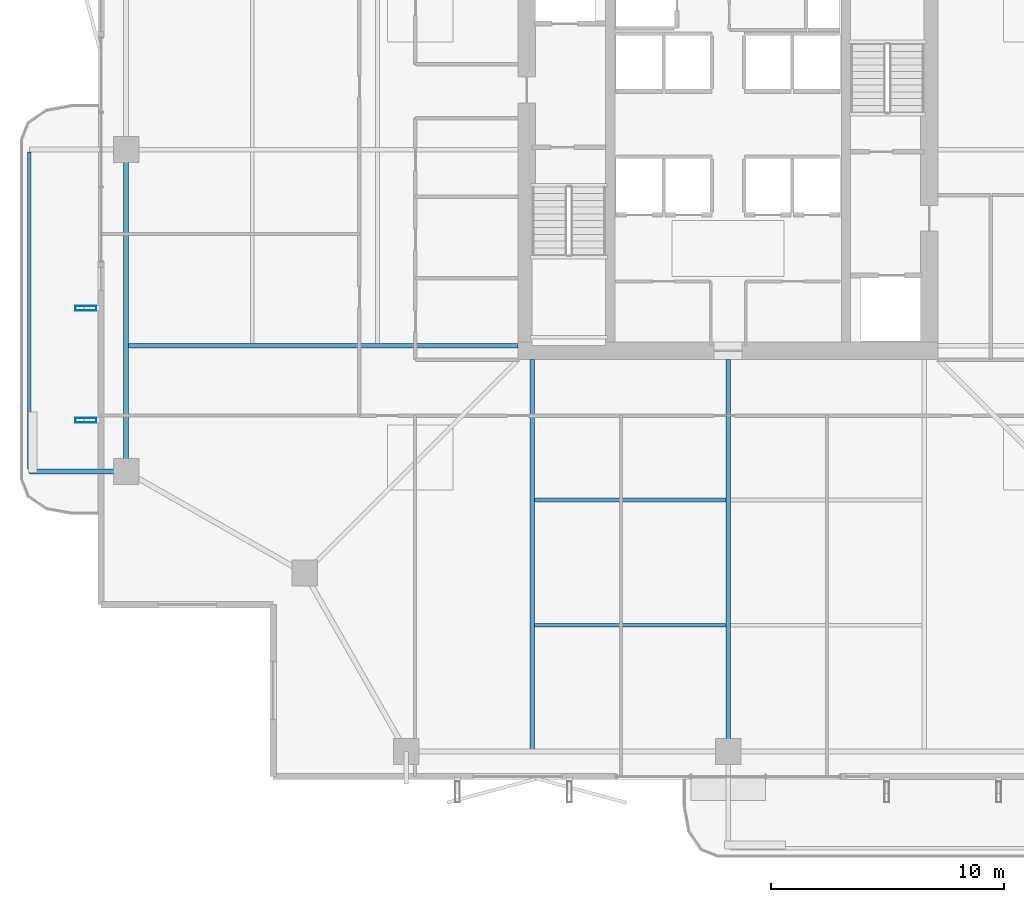
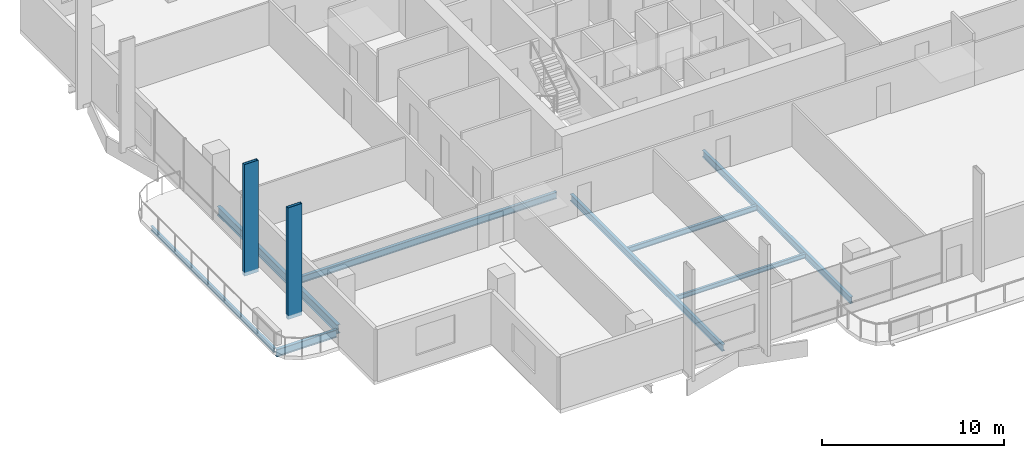
# One storey, part 3 of 24: 8 beams, 2 members.
"""IFC4 building model written with IfcOpenShell, lengths in metres."""

from ifc_helpers import new_model, si_unit, direction, frame, origin, origin_2d, place, context, subcontext, project, spatial, hollow_rectangle, i_section, extrude, material, material_profile, profile_set, type_object, element, save


model = new_model("IFC4")

# Units and contexts
model_context = context("Model", 3, precision=1e-05, world=origin(), true_north=direction((0.0, 1.0)))
body_context = subcontext(model_context, "Body", "Model", "MODEL_VIEW")
ifc_project = project(units=[si_unit("LENGTHUNIT", "METRE"), si_unit("AREAUNIT", "SQUARE_METRE"), si_unit("VOLUMEUNIT", "CUBIC_METRE"), si_unit("PLANEANGLEUNIT", "RADIAN"), si_unit("MASSUNIT", "GRAM", prefix="KILO")], contexts=[model_context])

# Site, building, storey
site_placement = place(None, origin())
site = spatial("IfcSite", under=ifc_project, at=site_placement, CompositionType="ELEMENT")
building_placement = place(site_placement, origin())
building = spatial("IfcBuilding", under=site, at=building_placement, Name="Belovzor Exchange Tower", CompositionType="ELEMENT")
storey_placement = place(building_placement, frame((0.0, 0.0, 233.699951171875)))
storey = spatial("IfcBuildingStorey", under=building, at=storey_placement, Name="L58", CompositionType="ELEMENT", Elevation=233.699951171875)

# Beams
ifc_material_1 = material(Name="Steel S355", Category="steel")
ifc_material_profile_1 = material_profile(ifc_material_1, i_section(OverallWidth=0.199951171875, OverallDepth=0.5, WebThickness=0.01025390625, FlangeThickness=0.01611328125, at=origin_2d()))
ifc_profile_set_1 = profile_set([ifc_material_profile_1], Name="Steel S355")
beam_type_1 = type_object("IfcBeamType", Name="Planted Balcony Cantilever Beam IPE 500", PredefinedType="BEAM", material=ifc_profile_set_1)
beam_1_placement = place(storey_placement, frame((2.697021484375, 15.0, -0.5), z_axis=(-1.0, 0.0, 0.0), x_axis=(0.0, -1.0, 0.0)))
element("IfcBeam", 1, at=beam_1_placement, inside=storey, type_object=beam_type_1, Name="BC-500 Planted Balcony Cantilever Beam IPE 500", PredefinedType="BEAM", context=body_context, shape_type="SweptSolid", body=[
    extrude(i_section(OverallWidth=0.199951171875, OverallDepth=0.5, WebThickness=0.01025390625, FlangeThickness=0.01611328125, at=origin_2d()), origin(), (0.0, 0.0, 1.0), 3.85009765625),
])
ifc_material_2 = material(Name="Steel S355", Category="steel")
ifc_material_profile_2 = material_profile(ifc_material_2, i_section(OverallWidth=0.14990234375, OverallDepth=0.300048828125, WebThickness=0.007080078125, FlangeThickness=0.0107421875, at=origin_2d()))
ifc_profile_set_2 = profile_set([ifc_material_profile_2], Name="Steel S355")
beam_type_2 = type_object("IfcBeamType", Name="Planted Balcony Fascia Edge Beam IPE 300", PredefinedType="BEAM", material=ifc_profile_set_2)
beam_2_placement = place(storey_placement, frame((-1.153076171875, 28.699951171875, -0.39990234375), z_axis=(0.0, -1.0, 0.0), x_axis=(1.0, 0.0, 0.0)))
element("IfcBeam", 2, at=beam_2_placement, inside=storey, type_object=beam_type_2, Name="BC-300 Planted Balcony Fascia Edge Beam IPE 300", PredefinedType="BEAM", context=body_context, shape_type="SweptSolid", body=[
    extrude(i_section(OverallWidth=0.14990234375, OverallDepth=0.300048828125, WebThickness=0.007080078125, FlangeThickness=0.0107421875, at=origin_2d()), origin(), (0.0, 0.0, 1.0), 13.599853515625),
])
ifc_material_3 = material(Name="Steel S355", Category="steel")
ifc_material_profile_3 = material_profile(ifc_material_3, i_section(OverallWidth=0.169921875, OverallDepth=0.360107421875, WebThickness=0.008056640625, FlangeThickness=0.0126953125, at=origin_2d()))
ifc_profile_set_3 = profile_set([ifc_material_profile_3], Name="Steel S355")
beam_type_3 = type_object("IfcBeamType", Name="Secondary Infill Floor Joist IPE 360", PredefinedType="BEAM", material=ifc_profile_set_3)
beam_3_placement = place(storey_placement, frame((20.4951171875, 13.77197265625, -0.429931640625), z_axis=(1.0, 0.0, 0.0), x_axis=(0.0, 1.0, 0.0)))
element("IfcBeam", 3, at=beam_3_placement, inside=storey, type_object=beam_type_3, Name="FJ-360 Secondary Infill Floor Joist IPE 360", PredefinedType="BEAM", context=body_context, shape_type="SweptSolid", body=[
    extrude(i_section(OverallWidth=0.169921875, OverallDepth=0.360107421875, WebThickness=0.008056640625, FlangeThickness=0.0126953125, at=origin_2d()), origin(), (0.0, 0.0, 1.0), 8.2099609375),
])
ifc_material_4 = material(Name="Steel S355", Category="steel")
ifc_material_profile_4 = material_profile(ifc_material_4, i_section(OverallWidth=0.14990234375, OverallDepth=0.300048828125, WebThickness=0.007080078125, FlangeThickness=0.0107421875, at=origin_2d()))
ifc_profile_set_4 = profile_set([ifc_material_profile_4], Name="Steel S355")
beam_type_4 = type_object("IfcBeamType", Name="Secondary Trim Floor Joist IPE 300", PredefinedType="BEAM", material=ifc_profile_set_4)
beam_4_placement = place(storey_placement, frame((20.4951171875, 8.4130859375, -0.39990234375), z_axis=(1.0, 0.0, 0.0), x_axis=(0.0, 1.0, 0.0)))
element("IfcBeam", 4, at=beam_4_placement, inside=storey, type_object=beam_type_4, Name="FJ-300 Secondary Trim Floor Joist IPE 300", PredefinedType="BEAM", context=body_context, shape_type="SweptSolid", body=[
    extrude(i_section(OverallWidth=0.14990234375, OverallDepth=0.300048828125, WebThickness=0.007080078125, FlangeThickness=0.0107421875, at=origin_2d()), origin(), (0.0, 0.0, 1.0), 8.2099609375),
])

# Members
ifc_material_5 = material(Name="Extruded Architectural Terracotta on Steel S355 Carrier", Category="masonry")
ifc_material_profile_5 = material_profile(ifc_material_5, hollow_rectangle(XDim=0.199951171875, YDim=0.89990234375, WallThickness=0.011962890625, at=origin_2d()))
ifc_profile_set_5 = profile_set([ifc_material_profile_5], Name="Extruded Architectural Terracotta on Steel S355 Carrier")
member_type = type_object("IfcMemberType", Name="Sweeping Terracotta Baguette Fin Assembly 950", PredefinedType="USERDEFINED", material=ifc_profile_set_5)
for number, where, z_axis, x_axis, name in (
    (5, (1.27490234375, 17.199951171875, -0.25), (0.0, 0.0, 1.0), (0.0, 1.0, 0.0), "FIN-TC095 Terracotta Facade Fin L58 W1"),
    (6, (1.27490234375, 22.0, -0.25), (0.0, 0.0, 1.0), (0.0, 1.0, 0.0), "FIN-TC095 Terracotta Facade Fin L58 W2"),
):
    element("IfcMember", number, at=place(storey_placement, frame(where, z_axis=z_axis, x_axis=x_axis)), inside=storey, type_object=member_type, Name=name, ObjectType="FIN", PredefinedType="USERDEFINED", context=body_context, shape_type="SweptSolid", body=[
        extrude(hollow_rectangle(XDim=0.199951171875, YDim=0.89990234375, WallThickness=0.011962890625, at=origin_2d()), origin(), (0.0, 0.0, 1.0), 7.5),
    ])

# Beams
ifc_material_6 = material(Name="Steel S355", Category="steel")
ifc_material_profile_6 = material_profile(ifc_material_6, i_section(OverallWidth=0.18994140625, OverallDepth=0.449951171875, WebThickness=0.009521484375, FlangeThickness=0.0146484375, at=origin_2d()))
ifc_profile_set_6 = profile_set([ifc_material_profile_6], Name="Steel S355")
beam_type_5 = type_object("IfcBeamType", Name="Zone 2-4 Radial Composite Floor Beam IPE 450", PredefinedType="BEAM", material=ifc_profile_set_6)
beam_5_placement = place(storey_placement, frame((20.39990234375, 19.800048828125, -0.474853515625), z_axis=(0.0, -1.0, 0.0), x_axis=(1.0, 0.0, 0.0)))
element("IfcBeam", 7, at=beam_5_placement, inside=storey, type_object=beam_type_5, Name="FB-450 Zone 2-4 Radial Composite Floor Beam IPE 450", PredefinedType="BEAM", context=body_context, shape_type="SweptSolid", body=[
    extrude(i_section(OverallWidth=0.18994140625, OverallDepth=0.449951171875, WebThickness=0.009521484375, FlangeThickness=0.0146484375, at=origin_2d()), origin(), (0.0, 0.0, 1.0), 16.7451171875),
])
beam_6_placement = place(storey_placement, frame((28.800048828125, 19.800048828125, -0.474853515625), z_axis=(0.0, -1.0, 0.0), x_axis=(1.0, 0.0, 0.0)))
element("IfcBeam", 8, at=beam_6_placement, inside=storey, type_object=beam_type_5, Name="FB-450 Zone 2-4 Radial Composite Floor Beam IPE 450", PredefinedType="BEAM", context=body_context, shape_type="SweptSolid", body=[
    extrude(i_section(OverallWidth=0.18994140625, OverallDepth=0.449951171875, WebThickness=0.009521484375, FlangeThickness=0.0146484375, at=origin_2d()), origin(), (0.0, 0.0, 1.0), 16.316162109375),
])
beam_7_placement = place(storey_placement, frame((19.800048828125, 20.39990234375, -0.474853515625), z_axis=(-1.0, 0.0, 0.0), x_axis=(0.0, -1.0, 0.0)))
element("IfcBeam", 9, at=beam_7_placement, inside=storey, type_object=beam_type_5, Name="FB-450 Zone 2-4 Radial Composite Floor Beam IPE 450", PredefinedType="BEAM", context=body_context, shape_type="SweptSolid", body=[
    extrude(i_section(OverallWidth=0.18994140625, OverallDepth=0.449951171875, WebThickness=0.009521484375, FlangeThickness=0.0146484375, at=origin_2d()), origin(), (0.0, 0.0, 1.0), 16.7451171875),
])
ifc_material_7 = material(Name="Steel S355", Category="steel")
ifc_material_profile_7 = material_profile(ifc_material_7, i_section(OverallWidth=0.219970703125, OverallDepth=0.60009765625, WebThickness=0.011962890625, FlangeThickness=0.01904296875, at=origin_2d()))
ifc_profile_set_7 = profile_set([ifc_material_profile_7], Name="Steel S355")
beam_type_6 = type_object("IfcBeamType", Name="Zone 4 Flare Primary Girder IPE 600", PredefinedType="BEAM", material=ifc_profile_set_7)
beam_8_placement = place(storey_placement, frame((3.0, 28.498046875, -0.550048828125), z_axis=(0.0, -1.0, 0.0), x_axis=(1.0, 0.0, 0.0)))
element("IfcBeam", 10, at=beam_8_placement, inside=storey, type_object=beam_type_6, Name="FG-Z4 Zone 4 Flare Primary Girder IPE 600", PredefinedType="BEAM", context=body_context, shape_type="SweptSolid", body=[
    extrude(i_section(OverallWidth=0.219970703125, OverallDepth=0.60009765625, WebThickness=0.011962890625, FlangeThickness=0.01904296875, at=origin_2d()), origin(), (0.0, 0.0, 1.0), 13.195068359375),
])

save(model, "model.ifc")
